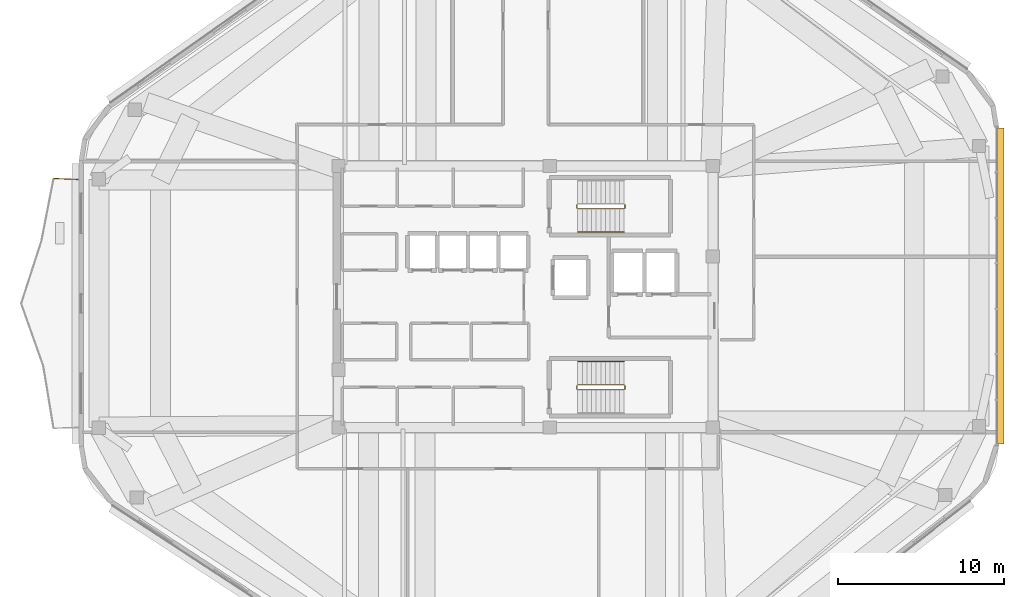
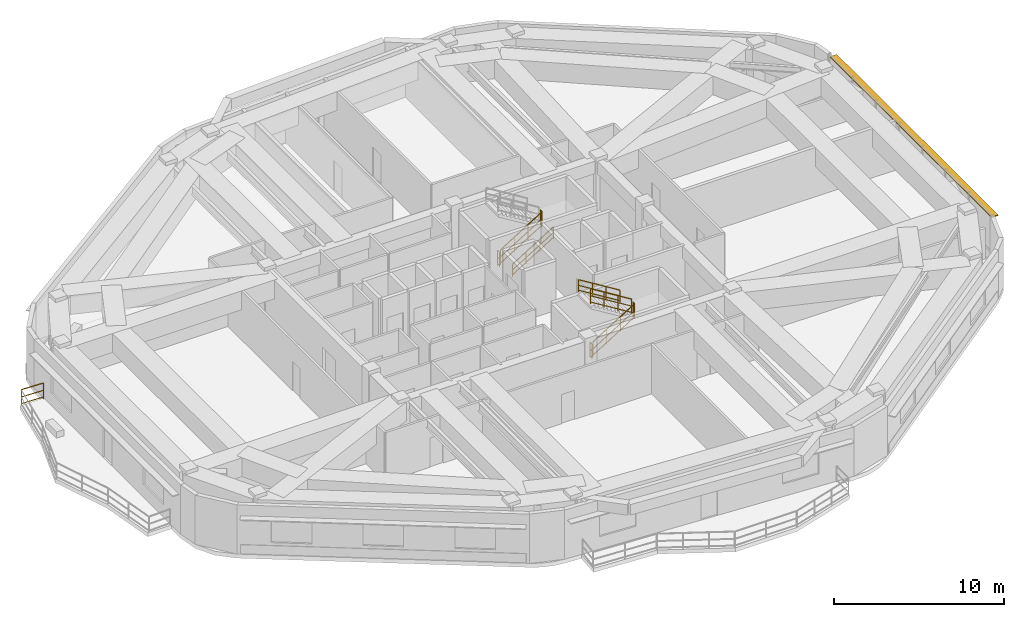
# One storey, part 14 of 15: 10 railings, 1 shading device.
"""IFC4 building model written with IfcOpenShell, lengths in metres."""

from ifc_helpers import new_model, si_unit, direction, frame, origin, origin_2d, place, context, subcontext, project, spatial, rectangle, extrude, material, layer, layer_set, type_object, element, save


model = new_model("IFC4")

# Units and contexts
model_context = context("Model", 3, precision=1e-05, world=origin(), true_north=direction((0.0, 1.0)))
body_context = subcontext(model_context, "Body", "Model", "MODEL_VIEW")
ifc_project = project(units=[si_unit("LENGTHUNIT", "METRE"), si_unit("AREAUNIT", "SQUARE_METRE"), si_unit("VOLUMEUNIT", "CUBIC_METRE"), si_unit("PLANEANGLEUNIT", "RADIAN"), si_unit("MASSUNIT", "GRAM", prefix="KILO")], contexts=[model_context])

# Site, building, storey
site_placement = place(None, origin())
site = spatial("IfcSite", under=ifc_project, at=site_placement, CompositionType="ELEMENT")
building_placement = place(site_placement, origin())
building = spatial("IfcBuilding", under=site, at=building_placement, Name="Zulverin Broadcast Headquarters", CompositionType="ELEMENT")
storey_placement = place(building_placement, frame((0.0, 0.0, 270.60009765625)))
storey = spatial("IfcBuildingStorey", under=building, at=storey_placement, Name="L69", CompositionType="ELEMENT", Elevation=270.60009765625)

# Railings
ifc_material_1 = material(Name="Brushed stainless steel & laminated glass balustrade", Category="steel")
railing_type_1 = type_object("IfcRailingType", Name="RL-GUARD-1150", PredefinedType="GUARDRAIL", material=ifc_material_1)
railing_1_placement = place(storey_placement, frame((10.06005859375, 32.265380859375, 0.0)))
element("IfcRailing", 1, at=railing_1_placement, inside=storey, type_object=railing_type_1, Name="L69 Vertical-Forest Balcony Guardrail BAL_W Segment 01", PredefinedType="GUARDRAIL", context=body_context, shape_type="SweptSolid", body=[
    extrude(rectangle(XDim=0.048095703125, YDim=0.048095703125, at=origin_2d()), frame((0.0, 0.0, 1.1259765625), z_axis=(-0.999181155166, 0.040460093435, 0.0), x_axis=(-0.040460093435, -0.999181155166, 0.0)), (0.0, 0.0, 1.0), 1.46630859375),
    extrude(rectangle(XDim=0.0419921875, YDim=0.0419921875, at=origin_2d()), frame((0.0, 0.0, 0.597900390625), z_axis=(-0.999181155166, 0.040460093435, 0.0), x_axis=(-0.040460093435, -0.999181155166, 0.0)), (0.0, 0.0, 1.0), 1.46630859375),
    extrude(rectangle(XDim=0.0419921875, YDim=0.0419921875, at=origin_2d()), frame((0.0, 0.0, 0.1201171875), z_axis=(-0.999181155166, 0.040460093435, 0.0), x_axis=(-0.040460093435, -0.999181155166, 0.0)), (0.0, 0.0, 1.0), 1.46630859375),
    extrude(rectangle(XDim=0.0419921875, YDim=0.0419921875, at=origin_2d()), origin(), (0.0, 0.0, 1.0), 1.101806640625),
    extrude(rectangle(XDim=0.0419921875, YDim=0.0419921875, at=origin_2d()), frame((-1.465087890625, 0.059326171875, 0.0)), (0.0, 0.0, 1.0), 1.101806640625),
])
ifc_material_2 = material(Name="Painted galvanized steel tubular guardrail S355JR", Category="steel")
railing_type_2 = type_object("IfcRailingType", Name="RL-ST-GUARD", PredefinedType="GUARDRAIL", material=ifc_material_2)
railing_2_placement = place(storey_placement, frame((40.1298828125, 30.5, 0.172607421875)))
element("IfcRailing", 2, at=railing_2_placement, inside=storey, type_object=railing_type_2, Name="L69 ST-1 stair guard 1", PredefinedType="GUARDRAIL", context=body_context, shape_type="SweptSolid", body=[
    extrude(rectangle(XDim=0.048095703125, YDim=0.048095703125, at=origin_2d()), frame((0.0, 0.0, 1.076171875), z_axis=(0.851089632645, 0.0, 0.525020415988), x_axis=(0.0, 1.0, 0.0)), (0.0, 0.0, 1.0), 3.2900390625),
    extrude(rectangle(XDim=0.0419921875, YDim=0.0419921875, at=origin_2d()), frame((0.0, 0.0, 0.572021484375), z_axis=(0.851089632645, 0.0, 0.525020415988), x_axis=(0.0, 1.0, 0.0)), (0.0, 0.0, 1.0), 3.2900390625),
    extrude(rectangle(XDim=0.0419921875, YDim=0.0419921875, at=origin_2d()), frame((0.0, 0.0, 0.1201171875), z_axis=(0.851089632645, 0.0, 0.525020415988), x_axis=(0.0, 1.0, 0.0)), (0.0, 0.0, 1.0), 3.2900390625),
    extrude(rectangle(XDim=0.0419921875, YDim=0.0419921875, at=origin_2d()), origin(), (0.0, 0.0, 1.0), 1.052001953125),
    extrude(rectangle(XDim=0.0419921875, YDim=0.0419921875, at=origin_2d()), frame((0.933349609375, 0.0, 0.57568359375)), (0.0, 0.0, 1.0), 1.052001953125),
    extrude(rectangle(XDim=0.0419921875, YDim=0.0419921875, at=origin_2d()), frame((1.86669921875, 0.0, 1.151611328125)), (0.0, 0.0, 1.0), 1.052001953125),
    extrude(rectangle(XDim=0.0419921875, YDim=0.0419921875, at=origin_2d()), frame((2.800048828125, 0.0, 1.727294921875)), (0.0, 0.0, 1.0), 1.052001953125),
])
for number, where, name in (
    (3, (42.97998046875, 30.550048828125, 1.89990234375), "L69 ST-1 stair guard 2"),
    (4, (40.080078125, 30.550048828125, 0.0), "L69 ST-1 stair guard 4"),
):
    element("IfcRailing", number, at=place(storey_placement, frame(where)), inside=storey, type_object=railing_type_2, Name=name, PredefinedType="GUARDRAIL", context=body_context, shape_type="SweptSolid", body=[
        extrude(rectangle(XDim=0.048095703125, YDim=0.048095703125, at=origin_2d()), frame((0.0, 0.0, 1.076171875), z_axis=(0.0, 1.0, 0.0), x_axis=(-1.0, 0.0, 0.0)), (0.0, 0.0, 1.0), 0.199951171875),
        extrude(rectangle(XDim=0.0419921875, YDim=0.0419921875, at=origin_2d()), frame((0.0, 0.0, 0.572021484375), z_axis=(0.0, 1.0, 0.0), x_axis=(-1.0, 0.0, 0.0)), (0.0, 0.0, 1.0), 0.199951171875),
        extrude(rectangle(XDim=0.0419921875, YDim=0.0419921875, at=origin_2d()), frame((0.0, 0.0, 0.1201171875), z_axis=(0.0, 1.0, 0.0), x_axis=(-1.0, 0.0, 0.0)), (0.0, 0.0, 1.0), 0.199951171875),
        extrude(rectangle(XDim=0.0419921875, YDim=0.0419921875, at=origin_2d()), origin(), (0.0, 0.0, 1.0), 1.052001953125),
        extrude(rectangle(XDim=0.0419921875, YDim=0.0419921875, at=origin_2d()), frame((0.0, 0.199951171875, 0.0)), (0.0, 0.0, 1.0), 1.052001953125),
    ])
railing_3_placement = place(storey_placement, frame((40.1298828125, 19.60009765625, 0.172607421875)))
element("IfcRailing", 5, at=railing_3_placement, inside=storey, type_object=railing_type_2, Name="L69 ST-2 stair guard 1", PredefinedType="GUARDRAIL", context=body_context, shape_type="SweptSolid", body=[
    extrude(rectangle(XDim=0.048095703125, YDim=0.048095703125, at=origin_2d()), frame((0.0, 0.0, 1.076171875), z_axis=(0.851089632645, 0.0, 0.525020415988), x_axis=(0.0, 1.0, 0.0)), (0.0, 0.0, 1.0), 3.2900390625),
    extrude(rectangle(XDim=0.0419921875, YDim=0.0419921875, at=origin_2d()), frame((0.0, 0.0, 0.572021484375), z_axis=(0.851089632645, 0.0, 0.525020415988), x_axis=(0.0, 1.0, 0.0)), (0.0, 0.0, 1.0), 3.2900390625),
    extrude(rectangle(XDim=0.0419921875, YDim=0.0419921875, at=origin_2d()), frame((0.0, 0.0, 0.1201171875), z_axis=(0.851089632645, 0.0, 0.525020415988), x_axis=(0.0, 1.0, 0.0)), (0.0, 0.0, 1.0), 3.2900390625),
    extrude(rectangle(XDim=0.0419921875, YDim=0.0419921875, at=origin_2d()), origin(), (0.0, 0.0, 1.0), 1.052001953125),
    extrude(rectangle(XDim=0.0419921875, YDim=0.0419921875, at=origin_2d()), frame((0.933349609375, 0.0, 0.57568359375)), (0.0, 0.0, 1.0), 1.052001953125),
    extrude(rectangle(XDim=0.0419921875, YDim=0.0419921875, at=origin_2d()), frame((1.86669921875, 0.0, 1.151611328125)), (0.0, 0.0, 1.0), 1.052001953125),
    extrude(rectangle(XDim=0.0419921875, YDim=0.0419921875, at=origin_2d()), frame((2.800048828125, 0.0, 1.727294921875)), (0.0, 0.0, 1.0), 1.052001953125),
])
railing_4_placement = place(storey_placement, frame((42.97998046875, 19.64990234375, 1.89990234375)))
element("IfcRailing", 6, at=railing_4_placement, inside=storey, type_object=railing_type_2, Name="L69 ST-2 stair guard 2", PredefinedType="GUARDRAIL", context=body_context, shape_type="SweptSolid", body=[
    extrude(rectangle(XDim=0.048095703125, YDim=0.048095703125, at=origin_2d()), frame((0.0, 0.0, 1.076171875), z_axis=(0.0, 1.0, 0.0), x_axis=(-1.0, 0.0, 0.0)), (0.0, 0.0, 1.0), 0.2001953125),
    extrude(rectangle(XDim=0.0419921875, YDim=0.0419921875, at=origin_2d()), frame((0.0, 0.0, 0.572021484375), z_axis=(0.0, 1.0, 0.0), x_axis=(-1.0, 0.0, 0.0)), (0.0, 0.0, 1.0), 0.2001953125),
    extrude(rectangle(XDim=0.0419921875, YDim=0.0419921875, at=origin_2d()), frame((0.0, 0.0, 0.1201171875), z_axis=(0.0, 1.0, 0.0), x_axis=(-1.0, 0.0, 0.0)), (0.0, 0.0, 1.0), 0.2001953125),
    extrude(rectangle(XDim=0.0419921875, YDim=0.0419921875, at=origin_2d()), origin(), (0.0, 0.0, 1.0), 1.052001953125),
    extrude(rectangle(XDim=0.0419921875, YDim=0.0419921875, at=origin_2d()), frame((0.0, 0.2001953125, 0.0)), (0.0, 0.0, 1.0), 1.052001953125),
])
railing_5_placement = place(storey_placement, frame((42.929931640625, 19.89990234375, 2.072509765625)))
element("IfcRailing", 7, at=railing_5_placement, inside=storey, type_object=railing_type_2, Name="L69 ST-2 stair guard 3", PredefinedType="GUARDRAIL", context=body_context, shape_type="SweptSolid", body=[
    extrude(rectangle(XDim=0.048095703125, YDim=0.048095703125, at=origin_2d()), frame((0.0, 0.0, 1.076171875), z_axis=(-0.851089632645, 0.0, 0.525020415988), x_axis=(0.0, -1.0, 0.0)), (0.0, 0.0, 1.0), 3.2900390625),
    extrude(rectangle(XDim=0.0419921875, YDim=0.0419921875, at=origin_2d()), frame((0.0, 0.0, 0.572021484375), z_axis=(-0.851089632645, 0.0, 0.525020415988), x_axis=(0.0, -1.0, 0.0)), (0.0, 0.0, 1.0), 3.2900390625),
    extrude(rectangle(XDim=0.0419921875, YDim=0.0419921875, at=origin_2d()), frame((0.0, 0.0, 0.1201171875), z_axis=(-0.851089632645, 0.0, 0.525020415988), x_axis=(0.0, -1.0, 0.0)), (0.0, 0.0, 1.0), 3.2900390625),
    extrude(rectangle(XDim=0.0419921875, YDim=0.0419921875, at=origin_2d()), origin(), (0.0, 0.0, 1.0), 1.052001953125),
    extrude(rectangle(XDim=0.0419921875, YDim=0.0419921875, at=origin_2d()), frame((-0.933349609375, 0.0, 0.57568359375)), (0.0, 0.0, 1.0), 1.052001953125),
    extrude(rectangle(XDim=0.0419921875, YDim=0.0419921875, at=origin_2d()), frame((-1.86669921875, 0.0, 1.151611328125)), (0.0, 0.0, 1.0), 1.052001953125),
    extrude(rectangle(XDim=0.0419921875, YDim=0.0419921875, at=origin_2d()), frame((-2.800048828125, 0.0, 1.727294921875)), (0.0, 0.0, 1.0), 1.052001953125),
])
railing_6_placement = place(storey_placement, frame((40.080078125, 19.64990234375, 0.0)))
element("IfcRailing", 8, at=railing_6_placement, inside=storey, type_object=railing_type_2, Name="L69 ST-2 stair guard 4", PredefinedType="GUARDRAIL", context=body_context, shape_type="SweptSolid", body=[
    extrude(rectangle(XDim=0.048095703125, YDim=0.048095703125, at=origin_2d()), frame((0.0, 0.0, 1.076171875), z_axis=(0.0, 1.0, 0.0), x_axis=(-1.0, 0.0, 0.0)), (0.0, 0.0, 1.0), 0.2001953125),
    extrude(rectangle(XDim=0.0419921875, YDim=0.0419921875, at=origin_2d()), frame((0.0, 0.0, 0.572021484375), z_axis=(0.0, 1.0, 0.0), x_axis=(-1.0, 0.0, 0.0)), (0.0, 0.0, 1.0), 0.2001953125),
    extrude(rectangle(XDim=0.0419921875, YDim=0.0419921875, at=origin_2d()), frame((0.0, 0.0, 0.1201171875), z_axis=(0.0, 1.0, 0.0), x_axis=(-1.0, 0.0, 0.0)), (0.0, 0.0, 1.0), 0.2001953125),
    extrude(rectangle(XDim=0.0419921875, YDim=0.0419921875, at=origin_2d()), origin(), (0.0, 0.0, 1.0), 1.052001953125),
    extrude(rectangle(XDim=0.0419921875, YDim=0.0419921875, at=origin_2d()), frame((0.0, 0.2001953125, 0.0)), (0.0, 0.0, 1.0), 1.052001953125),
])
ifc_material_3 = material(Name="Brushed stainless steel 48 mm handrail", Category="steel")
railing_type_3 = type_object("IfcRailingType", Name="RL-ST-HAND", PredefinedType="HANDRAIL", material=ifc_material_3)
railing_7_placement = place(storey_placement, frame((40.1298828125, 29.10009765625, 0.172607421875)))
element("IfcRailing", 9, at=railing_7_placement, inside=storey, type_object=railing_type_3, Name="L69 ST-1 stair handrail 1", PredefinedType="HANDRAIL", context=body_context, shape_type="SweptSolid", body=[
    extrude(rectangle(XDim=0.048095703125, YDim=0.048095703125, at=origin_2d()), frame((0.0, 0.0, 0.8759765625), z_axis=(0.851089632645, 0.0, 0.525020415988), x_axis=(0.0, 1.0, 0.0)), (0.0, 0.0, 1.0), 3.2900390625),
    extrude(rectangle(XDim=0.0419921875, YDim=0.0419921875, at=origin_2d()), frame((0.0, 0.0, 0.468017578125), z_axis=(0.851089632645, 0.0, 0.525020415988), x_axis=(0.0, 1.0, 0.0)), (0.0, 0.0, 1.0), 3.2900390625),
    extrude(rectangle(XDim=0.0419921875, YDim=0.0419921875, at=origin_2d()), frame((0.0, 0.0, 0.1201171875), z_axis=(0.851089632645, 0.0, 0.525020415988), x_axis=(0.0, 1.0, 0.0)), (0.0, 0.0, 1.0), 3.2900390625),
    extrude(rectangle(XDim=0.0419921875, YDim=0.0419921875, at=origin_2d()), origin(), (0.0, 0.0, 1.0), 0.851806640625),
    extrude(rectangle(XDim=0.0419921875, YDim=0.0419921875, at=origin_2d()), frame((0.933349609375, 0.0, 0.57568359375)), (0.0, 0.0, 1.0), 0.851806640625),
    extrude(rectangle(XDim=0.0419921875, YDim=0.0419921875, at=origin_2d()), frame((1.86669921875, 0.0, 1.151611328125)), (0.0, 0.0, 1.0), 0.851806640625),
    extrude(rectangle(XDim=0.0419921875, YDim=0.0419921875, at=origin_2d()), frame((2.800048828125, 0.0, 1.727294921875)), (0.0, 0.0, 1.0), 0.851806640625),
])
railing_8_placement = place(storey_placement, frame((42.929931640625, 21.300048828125, 2.072509765625)))
element("IfcRailing", 10, at=railing_8_placement, inside=storey, type_object=railing_type_3, Name="L69 ST-2 stair handrail 2", PredefinedType="HANDRAIL", context=body_context, shape_type="SweptSolid", body=[
    extrude(rectangle(XDim=0.048095703125, YDim=0.048095703125, at=origin_2d()), frame((0.0, 0.0, 0.8759765625), z_axis=(-0.851089632645, 0.0, 0.525020415988), x_axis=(0.0, -1.0, 0.0)), (0.0, 0.0, 1.0), 3.2900390625),
    extrude(rectangle(XDim=0.0419921875, YDim=0.0419921875, at=origin_2d()), frame((0.0, 0.0, 0.468017578125), z_axis=(-0.851089632645, 0.0, 0.525020415988), x_axis=(0.0, -1.0, 0.0)), (0.0, 0.0, 1.0), 3.2900390625),
    extrude(rectangle(XDim=0.0419921875, YDim=0.0419921875, at=origin_2d()), frame((0.0, 0.0, 0.1201171875), z_axis=(-0.851089632645, 0.0, 0.525020415988), x_axis=(0.0, -1.0, 0.0)), (0.0, 0.0, 1.0), 3.2900390625),
    extrude(rectangle(XDim=0.0419921875, YDim=0.0419921875, at=origin_2d()), origin(), (0.0, 0.0, 1.0), 0.851806640625),
    extrude(rectangle(XDim=0.0419921875, YDim=0.0419921875, at=origin_2d()), frame((-0.933349609375, 0.0, 0.57568359375)), (0.0, 0.0, 1.0), 0.851806640625),
    extrude(rectangle(XDim=0.0419921875, YDim=0.0419921875, at=origin_2d()), frame((-1.86669921875, 0.0, 1.151611328125)), (0.0, 0.0, 1.0), 0.851806640625),
    extrude(rectangle(XDim=0.0419921875, YDim=0.0419921875, at=origin_2d()), frame((-2.800048828125, 0.0, 1.727294921875)), (0.0, 0.0, 1.0), 0.851806640625),
])

# Shading device
ifc_material_4 = material(Name="Anodized pale-metal aluminium sunshade", Category="aluminium")
ifc_layer = layer(ifc_material_4, 0.06005859375, Name="Anodized pale-metal aluminium sunshade", Category="aluminium")
ifc_layer_set = layer_set([ifc_layer], Name="Anodized pale-metal aluminium sunshade")
shading_device_type = type_object("IfcShadingDeviceType", Name="SS-01_PALE_METAL_ALUMINIUM_SUNSHADE", PredefinedType="USERDEFINED", material=ifc_layer_set)
shading_device_placement = place(storey_placement, frame((65.580078125, 25.841796875, 3.309814453125), z_axis=(0.0, 0.0, 1.0), x_axis=(0.0, 1.0, 0.0)))
element("IfcShadingDevice", 11, at=shading_device_placement, inside=storey, type_object=shading_device_type, Name="L69 Pale-Metal Horizontal Sunshade Band CW-L69-E3", ObjectType="SUNSHADE", PredefinedType="USERDEFINED", context=body_context, shape_type="SweptSolid", body=[
    extrude(rectangle(XDim=19.028076171875, YDim=0.449951171875, at=origin_2d()), origin(), (0.0, 0.0, 1.0), 0.06005859375),
])

save(model, "model.ifc")
